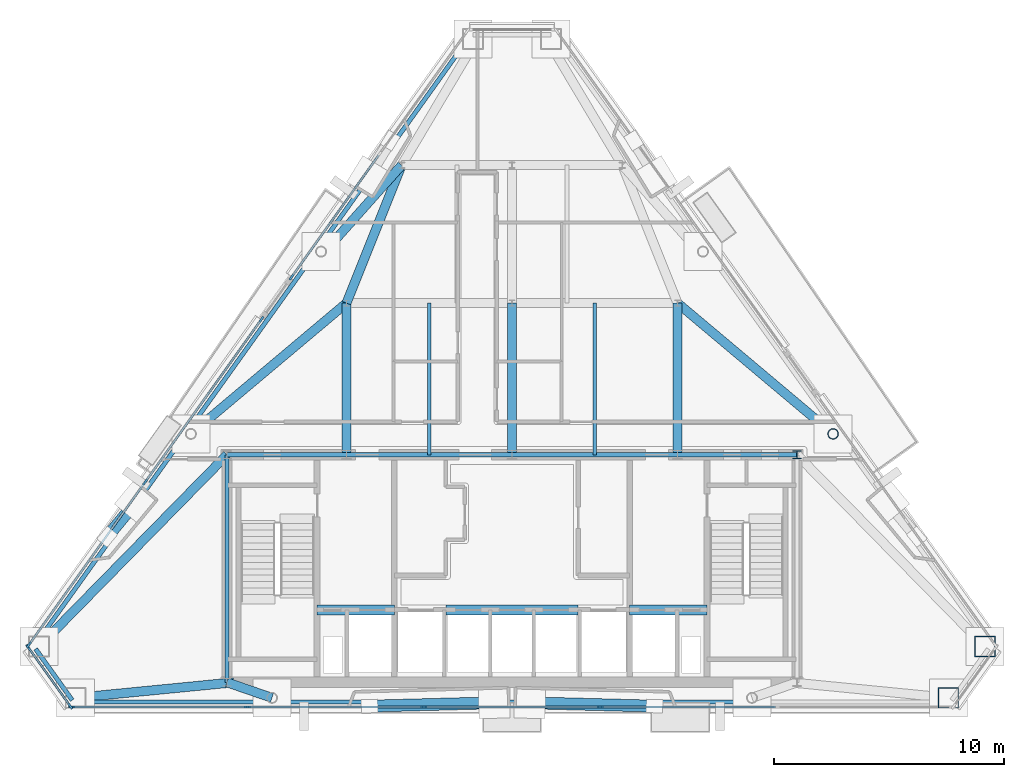
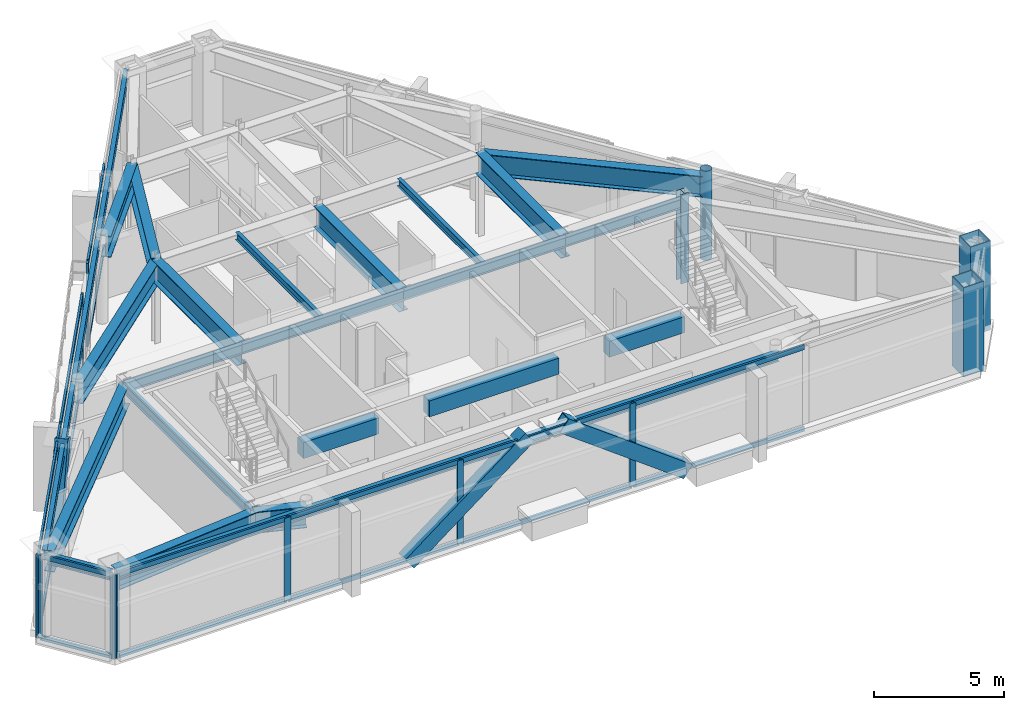
# One storey, part 3 of 10: 29 members, 26 beams, 4 columns, 4 elements without a shape of their own.
"""IFC4 building model written with IfcOpenShell, lengths in metres."""

from ifc_helpers import new_model, si_unit, direction, frame, origin, origin_2d, place, context, subcontext, project, spatial, rectangle, hollow_rectangle, hollow_circle, i_section, extrude, material, layer, layer_set, material_profile, profile_set, type_object, element, aggregate, save


model = new_model("IFC4")

# Units and contexts
model_context = context("Model", 3, precision=1e-05, world=origin(), true_north=direction((0.0, 1.0)))
body_context = subcontext(model_context, "Body", "Model", "MODEL_VIEW")
ifc_project = project(units=[si_unit("LENGTHUNIT", "METRE"), si_unit("AREAUNIT", "SQUARE_METRE"), si_unit("VOLUMEUNIT", "CUBIC_METRE"), si_unit("PLANEANGLEUNIT", "RADIAN"), si_unit("MASSUNIT", "GRAM", prefix="KILO")], contexts=[model_context])

# Site, building, storey
site_placement = place(None, origin())
site = spatial("IfcSite", under=ifc_project, at=site_placement, CompositionType="ELEMENT")
building_placement = place(site_placement, origin())
building = spatial("IfcBuilding", under=site, at=building_placement, Name="Talgorran Terracotta Tower", CompositionType="ELEMENT")
storey_placement = place(building_placement, frame((0.0, 0.0, 289.199951171875)))
storey = spatial("IfcBuildingStorey", under=building, at=storey_placement, Name="L76", CompositionType="ELEMENT", Elevation=289.199951171875)

# Columns
ifc_material_1 = material(Name="Steel S355 (300PLUS)", Category="steel")
ifc_material_profile_1 = material_profile(ifc_material_1, i_section(OverallWidth=0.35205078125, OverallDepth=0.35888671875, WebThickness=0.01806640625, FlangeThickness=0.02587890625, at=origin_2d()), Name="350WC197")
ifc_profile_set_1 = profile_set([ifc_material_profile_1], Name="Steel S355 (300PLUS)")
column_type_1 = type_object("IfcColumnType", Name="COL_350WC197", PredefinedType="COLUMN", material=ifc_profile_set_1)
column_1_placement = place(storey_placement, frame((12.39990234375, -4.199951171875, 0.0), z_axis=(0.0, 0.0, 1.0), x_axis=(1.0, 0.0, 0.0)))
element("IfcColumn", 1, at=column_1_placement, inside=storey, type_object=column_type_1, Name="L76 Core Boundary Column CC3", PredefinedType="COLUMN", context=body_context, shape_type="SweptSolid", body=[
    extrude(i_section(OverallWidth=0.35205078125, OverallDepth=0.35888671875, WebThickness=0.01806640625, FlangeThickness=0.02587890625, at=origin_2d()), origin(), (0.0, 0.0, 1.0), 4.199951171875),
])
ifc_material_2 = material(Name="Steel Grade 350 (350L0)", Category="steel")
ifc_material_profile_2 = material_profile(ifc_material_2, hollow_rectangle(XDim=0.89990234375, YDim=0.89990234375, WallThickness=0.0400390625, at=origin_2d()), Name="CFT900X900X40")
ifc_profile_set_2 = profile_set([ifc_material_profile_2], Name="Steel Grade 350 (350L0)")
column_type_2 = type_object("IfcColumnType", Name="COL_CFT_900", PredefinedType="COLUMN", material=ifc_profile_set_2)
for number, where, z_axis, x_axis, name in (
    (2, (18.984619140625, -14.7744140625, 0.0), (0.0, 0.0, 1.0), (1.0, 0.0, 0.0), "L76 Corner CFT Mega-Column MC3"),
    (3, (20.578857421875, -12.542724609375, 0.0), (0.0, 0.0, 1.0), (1.0, 0.0, 0.0), "L76 Corner CFT Mega-Column MC4"),
):
    element("IfcColumn", number, at=place(storey_placement, frame(where, z_axis=z_axis, x_axis=x_axis)), inside=storey, type_object=column_type_2, Name=name, PredefinedType="COLUMN", context=body_context, shape_type="SweptSolid", body=[
        extrude(hollow_rectangle(XDim=0.89990234375, YDim=0.89990234375, WallThickness=0.0400390625, at=origin_2d()), origin(), (0.0, 0.0, 1.0), 4.199951171875),
    ])
ifc_material_3 = material(Name="Steel S350 (C350L0)", Category="steel")
ifc_material_profile_3 = material_profile(ifc_material_3, hollow_circle(Radius=0.228515625, WallThickness=0.01611328125, at=origin_2d()), Name="CHS457X16")
ifc_profile_set_3 = profile_set([ifc_material_profile_3], Name="Steel S350 (C350L0)")
column_type_3 = type_object("IfcColumnType", Name="COL_CHS_457", PredefinedType="COLUMN", material=ifc_profile_set_3)
column_2_placement = place(storey_placement, frame((13.970458984375, -3.29150390625, 0.0), z_axis=(0.0, 0.0, 1.0), x_axis=(1.0, 0.0, 0.0)))
element("IfcColumn", 4, at=column_2_placement, inside=storey, type_object=column_type_3, Name="L76 Facet Perimeter Column FC3", PredefinedType="COLUMN", context=body_context, shape_type="SweptSolid", body=[
    extrude(hollow_circle(Radius=0.228515625, WallThickness=0.01611328125, at=origin_2d()), origin(), (0.0, 0.0, 1.0), 4.199951171875),
])

# Beams
ifc_material_profile_4 = material_profile(ifc_material_2, i_section(OverallWidth=0.39990234375, OverallDepth=1.0, WebThickness=0.01611328125, FlangeThickness=0.031005859375, at=origin_2d()), Name="1000WB296")
ifc_profile_set_4 = profile_set([ifc_material_profile_4], Name="Steel Grade 350 (350L0)")
beam_type_1 = type_object("IfcBeamType", Name="BM_1000WB296", PredefinedType="BEAM", material=ifc_profile_set_4)
beam_1_placement = place(storey_placement, frame((-10.441650390625, -14.7744140625, 3.420166015625), z_axis=(-0.945513197236, 0.325583773939, 0.0), x_axis=(-0.325583773939, -0.945513197236, 0.0)))
element("IfcBeam", 5, at=beam_1_placement, inside=storey, type_object=beam_type_1, Name="L76 South-West Core Tie Beam", PredefinedType="BEAM", context=body_context, shape_type="SweptSolid", body=[
    extrude(i_section(OverallWidth=0.39990234375, OverallDepth=1.0, WebThickness=0.01611328125, FlangeThickness=0.031005859375, at=origin_2d()), origin(), (0.0, 0.0, 1.0), 2.071044921875),
])
beam_2_placement = place(storey_placement, frame((-18.984619140625, -14.7744140625, 3.420166015625), z_axis=(0.995237458524, 0.097480260309, 0.0), x_axis=(-0.097480260309, 0.995237458524, 0.0)))
element("IfcBeam", 6, at=beam_2_placement, inside=storey, type_object=beam_type_1, Name="L76 Perimeter Step Girder 2", PredefinedType="BEAM", context=body_context, shape_type="SweptSolid", body=[
    extrude(i_section(OverallWidth=0.39990234375, OverallDepth=1.0, WebThickness=0.01611328125, FlangeThickness=0.031005859375, at=origin_2d()), origin(), (0.0, 0.0, 1.0), 6.91748046875),
])
for number, where, z_axis, x_axis, name in (
    (7, (-7.199951171875, -4.199951171875, 3.420166015625), (0.0, 1.0, 0.0), (-1.0, 0.0, 0.0), "L76 Floor Girder G01"),
    (8, (0.0, -4.199951171875, 3.420166015625), (0.0, 1.0, 0.0), (-1.0, 0.0, 0.0), "L76 Floor Girder G02"),
    (9, (7.199951171875, -4.199951171875, 3.420166015625), (0.0, 1.0, 0.0), (-1.0, 0.0, 0.0), "L76 Floor Girder G03"),
):
    element("IfcBeam", number, at=place(storey_placement, frame(where, z_axis=z_axis, x_axis=x_axis)), inside=storey, type_object=beam_type_1, Name=name, PredefinedType="BEAM", context=body_context, shape_type="SweptSolid", body=[
        extrude(i_section(OverallWidth=0.39990234375, OverallDepth=1.0, WebThickness=0.01611328125, FlangeThickness=0.031005859375, at=origin_2d()), origin(), (0.0, 0.0, 1.0), 6.599853515625),
    ])
for number, where, z_axis, x_axis, name in (
    (10, (-7.199951171875, 2.39990234375, 3.420166015625), (-0.765472083777, -0.643469104897, 0.0), (0.643469104897, -0.765472083777, 0.0), "L76 Floor Girder G06"),
    (11, (7.199951171875, 2.39990234375, 3.420166015625), (0.765472083777, -0.643469104897, 0.0), (0.643469104897, 0.765472083777, 0.0), "L76 Floor Girder G07"),
):
    element("IfcBeam", number, at=place(storey_placement, frame(where, z_axis=z_axis, x_axis=x_axis)), inside=storey, type_object=beam_type_1, Name=name, PredefinedType="BEAM", context=body_context, shape_type="SweptSolid", body=[
        extrude(i_section(OverallWidth=0.39990234375, OverallDepth=1.0, WebThickness=0.01611328125, FlangeThickness=0.031005859375, at=origin_2d()), origin(), (0.0, 0.0, 1.0), 8.844970703125),
    ])
beam_3_placement = place(storey_placement, frame((-7.199951171875, 2.39990234375, 3.420166015625), z_axis=(0.371377648723, 0.928481901832, 0.0), x_axis=(-0.928481901832, 0.371377648723, 0.0)))
element("IfcBeam", 12, at=beam_3_placement, inside=storey, type_object=beam_type_1, Name="L76 Floor Girder G08", PredefinedType="BEAM", context=body_context, shape_type="SweptSolid", body=[
    extrude(i_section(OverallWidth=0.39990234375, OverallDepth=1.0, WebThickness=0.01611328125, FlangeThickness=0.031005859375, at=origin_2d()), origin(), (0.0, 0.0, 1.0), 6.462158203125),
])
beam_4_placement = place(storey_placement, frame((-4.800048828125, 8.39990234375, 3.420166015625), z_axis=(-0.664939305992, -0.746897395462, 0.0), x_axis=(0.746897395462, -0.664939305992, 0.0)))
element("IfcBeam", 13, at=beam_4_placement, inside=storey, type_object=beam_type_1, Name="L76 Floor Girder G13", PredefinedType="BEAM", context=body_context, shape_type="SweptSolid", body=[
    extrude(i_section(OverallWidth=0.39990234375, OverallDepth=1.0, WebThickness=0.01611328125, FlangeThickness=0.031005859375, at=origin_2d()), origin(), (0.0, 0.0, 1.0), 5.00146484375),
])
beam_5_placement = place(storey_placement, frame((-12.39990234375, -4.199951171875, 3.420166015625), z_axis=(-0.700061173466, -0.714082875726, 0.0), x_axis=(0.714082875726, -0.700061173466, 0.0)))
element("IfcBeam", 14, at=beam_5_placement, inside=storey, type_object=beam_type_1, Name="L76 Floor Girder G17", PredefinedType="BEAM", context=body_context, shape_type="SweptSolid", body=[
    extrude(i_section(OverallWidth=0.39990234375, OverallDepth=1.0, WebThickness=0.01611328125, FlangeThickness=0.031005859375, at=origin_2d()), origin(), (0.0, 0.0, 1.0), 11.68310546875),
])
ifc_material_4 = material(Name="Concrete C50/60", Category="concrete")
ifc_material_profile_5 = material_profile(ifc_material_4, rectangle(XDim=0.449951171875, YDim=0.75, at=origin_2d()), Name="RCCB450X750")
ifc_profile_set_5 = profile_set([ifc_material_profile_5], Name="Concrete C50/60")
beam_type_2 = type_object("IfcBeamType", Name="BM_CB_450X750", PredefinedType="LINTEL", material=ifc_profile_set_5)
beam_6_placement = place(storey_placement, frame((-8.47998046875, -10.949951171875, 3.545166015625), z_axis=(1.0, 0.0, 0.0), x_axis=(0.0, 1.0, 0.0)))
element("IfcBeam", 15, at=beam_6_placement, inside=storey, type_object=beam_type_2, Name="L76 Core Shear-Wall Coupling Beam CB1", PredefinedType="LINTEL", context=body_context, shape_type="SweptSolid", body=[
    extrude(rectangle(XDim=0.449951171875, YDim=0.75, at=origin_2d()), origin(), (0.0, 0.0, 1.0), 3.35986328125),
])
beam_7_placement = place(storey_placement, frame((-2.8798828125, -10.949951171875, 3.545166015625), z_axis=(1.0, 0.0, 0.0), x_axis=(0.0, 1.0, 0.0)))
element("IfcBeam", 16, at=beam_7_placement, inside=storey, type_object=beam_type_2, Name="L76 Core Shear-Wall Coupling Beam CB2", PredefinedType="LINTEL", context=body_context, shape_type="SweptSolid", body=[
    extrude(rectangle(XDim=0.449951171875, YDim=0.75, at=origin_2d()), origin(), (0.0, 0.0, 1.0), 5.759765625),
])
beam_8_placement = place(storey_placement, frame((5.1201171875, -10.949951171875, 3.545166015625), z_axis=(1.0, 0.0, 0.0), x_axis=(0.0, 1.0, 0.0)))
element("IfcBeam", 17, at=beam_8_placement, inside=storey, type_object=beam_type_2, Name="L76 Core Shear-Wall Coupling Beam CB3", PredefinedType="LINTEL", context=body_context, shape_type="SweptSolid", body=[
    extrude(rectangle(XDim=0.449951171875, YDim=0.75, at=origin_2d()), origin(), (0.0, 0.0, 1.0), 3.35986328125),
])
ifc_material_profile_6 = material_profile(ifc_material_1, i_section(OverallWidth=0.17138671875, OverallDepth=0.355712890625, WebThickness=0.00732421875, FlangeThickness=0.011474609375, at=origin_2d()), Name="360UB50.7")
ifc_profile_set_6 = profile_set([ifc_material_profile_6], Name="Steel S355 (300PLUS)")
beam_type_3 = type_object("IfcBeamType", Name="BM_JS_360UB51", PredefinedType="JOIST", material=ifc_profile_set_6)
for number, where, z_axis, x_axis, name in (
    (18, (-3.60009765625, -4.199951171875, 3.7421875), (0.0, 1.0, 0.0), (-1.0, 0.0, 0.0), "L76 Secondary Joist J01"),
    (19, (3.60009765625, -4.199951171875, 3.7421875), (0.0, 1.0, 0.0), (-1.0, 0.0, 0.0), "L76 Secondary Joist J02"),
):
    element("IfcBeam", number, at=place(storey_placement, frame(where, z_axis=z_axis, x_axis=x_axis)), inside=storey, type_object=beam_type_3, Name=name, PredefinedType="JOIST", context=body_context, shape_type="SweptSolid", body=[
        extrude(i_section(OverallWidth=0.17138671875, OverallDepth=0.355712890625, WebThickness=0.00732421875, FlangeThickness=0.011474609375, at=origin_2d()), origin(), (0.0, 0.0, 1.0), 6.599853515625),
    ])
ifc_material_profile_7 = material_profile(ifc_material_1, i_section(OverallWidth=0.18994140625, OverallDepth=0.45703125, WebThickness=0.009033203125, FlangeThickness=0.014404296875, at=origin_2d()), Name="460UB74.6")
ifc_profile_set_7 = profile_set([ifc_material_profile_7], Name="Steel S355 (300PLUS)")
beam_type_4 = type_object("IfcBeamType", Name="BM_SP_460UB74", PredefinedType="SPANDREL", material=ifc_profile_set_7)
beam_9_placement = place(storey_placement, frame((-20.725341796875, -12.6474609375, 3.691650390625), z_axis=(0.581322401873, -0.813673315945, 0.0), x_axis=(0.813673315945, 0.581322401873, 0.0)))
element("IfcBeam", 20, at=beam_9_placement, inside=storey, type_object=beam_type_4, Name="L76 Perimeter Spandrel Beam MC1-MC2", PredefinedType="SPANDREL", context=body_context, shape_type="SweptSolid", body=[
    extrude(i_section(OverallWidth=0.18994140625, OverallDepth=0.45703125, WebThickness=0.009033203125, FlangeThickness=0.014404296875, at=origin_2d()), origin(), (0.0, 0.0, 1.0), 2.742431640625),
])
beam_10_placement = place(storey_placement, frame((-18.984619140625, -14.954345703125, 3.691650390625), z_axis=(1.0, 0.0, 0.0), x_axis=(0.0, 1.0, 0.0)))
element("IfcBeam", 21, at=beam_10_placement, inside=storey, type_object=beam_type_4, Name="L76 Perimeter Spandrel Beam MC2-FC1", PredefinedType="SPANDREL", context=body_context, shape_type="SweptSolid", body=[
    extrude(i_section(OverallWidth=0.18994140625, OverallDepth=0.45703125, WebThickness=0.009033203125, FlangeThickness=0.014404296875, at=origin_2d()), origin(), (0.0, 0.0, 1.0), 8.54296875),
])
beam_11_placement = place(storey_placement, frame((-10.441650390625, -14.954345703125, 3.691650390625), z_axis=(1.0, 0.0, 0.0), x_axis=(0.0, 1.0, 0.0)))
element("IfcBeam", 22, at=beam_11_placement, inside=storey, type_object=beam_type_4, Name="L76 Perimeter Spandrel Beam FC1-FC2", PredefinedType="SPANDREL", context=body_context, shape_type="SweptSolid", body=[
    extrude(i_section(OverallWidth=0.18994140625, OverallDepth=0.45703125, WebThickness=0.009033203125, FlangeThickness=0.014404296875, at=origin_2d()), origin(), (0.0, 0.0, 1.0), 20.88330078125),
])
beam_12_placement = place(storey_placement, frame((-1.844482421875, 13.994140625, 3.691650390625), z_axis=(-0.581246319121, -0.813727667287, 0.0), x_axis=(0.813727667287, -0.581246319121, 0.0)))
element("IfcBeam", 23, at=beam_12_placement, inside=storey, type_object=beam_type_4, Name="L76 Perimeter Spandrel Beam MC6-FC5", PredefinedType="SPANDREL", context=body_context, shape_type="SweptSolid", body=[
    extrude(i_section(OverallWidth=0.18994140625, OverallDepth=0.45703125, WebThickness=0.009033203125, FlangeThickness=0.014404296875, at=origin_2d()), origin(), (0.0, 0.0, 1.0), 11.368896484375),
])
beam_13_placement = place(storey_placement, frame((-8.45263671875, 4.742919921875, 3.691650390625), z_axis=(-0.58124293337, -0.813730085721, 0.0), x_axis=(0.813730085721, -0.58124293337, 0.0)))
element("IfcBeam", 24, at=beam_13_placement, inside=storey, type_object=beam_type_4, Name="L76 Perimeter Spandrel Beam FC5-FC6", PredefinedType="SPANDREL", context=body_context, shape_type="SweptSolid", body=[
    extrude(i_section(OverallWidth=0.18994140625, OverallDepth=0.45703125, WebThickness=0.009033203125, FlangeThickness=0.014404296875, at=origin_2d()), origin(), (0.0, 0.0, 1.0), 9.7451171875),
])
beam_14_placement = place(storey_placement, frame((-14.116943359375, -3.18701171875, 3.691650390625), z_axis=(-0.581260538156, -0.813717510431, 0.0), x_axis=(0.813717510431, -0.581260538156, 0.0)))
element("IfcBeam", 25, at=beam_14_placement, inside=storey, type_object=beam_type_4, Name="L76 Perimeter Spandrel Beam FC6-MC1", PredefinedType="SPANDREL", context=body_context, shape_type="SweptSolid", body=[
    extrude(i_section(OverallWidth=0.18994140625, OverallDepth=0.45703125, WebThickness=0.009033203125, FlangeThickness=0.014404296875, at=origin_2d()), origin(), (0.0, 0.0, 1.0), 11.369140625),
])
beam_15_placement = place(storey_placement, frame((-12.39990234375, -14.10009765625, 3.691650390625), z_axis=(0.0, 1.0, 0.0), x_axis=(-1.0, 0.0, 0.0)))
element("IfcBeam", 26, at=beam_15_placement, inside=storey, type_object=beam_type_4, Name="L76 Core Frame Beam CFW", PredefinedType="SPANDREL", context=body_context, shape_type="SweptSolid", body=[
    extrude(i_section(OverallWidth=0.18994140625, OverallDepth=0.45703125, WebThickness=0.009033203125, FlangeThickness=0.014404296875, at=origin_2d()), origin(), (0.0, 0.0, 1.0), 9.900146484375),
])
beam_16_placement = place(storey_placement, frame((-12.39990234375, -4.199951171875, 3.691650390625), z_axis=(1.0, 0.0, 0.0), x_axis=(0.0, 1.0, 0.0)))
element("IfcBeam", 27, at=beam_16_placement, inside=storey, type_object=beam_type_4, Name="L76 Core Frame Beam CFN1", PredefinedType="SPANDREL", context=body_context, shape_type="SweptSolid", body=[
    extrude(i_section(OverallWidth=0.18994140625, OverallDepth=0.45703125, WebThickness=0.009033203125, FlangeThickness=0.014404296875, at=origin_2d()), origin(), (0.0, 0.0, 1.0), 5.199951171875),
])
for number, where, z_axis, x_axis, name in (
    (28, (-7.199951171875, -4.199951171875, 3.691650390625), (1.0, 0.0, 0.0), (0.0, 1.0, 0.0), "L76 Core Frame Beam CFN2"),
    (29, (0.0, -4.199951171875, 3.691650390625), (1.0, 0.0, 0.0), (0.0, 1.0, 0.0), "L76 Core Frame Beam CFN3"),
):
    element("IfcBeam", number, at=place(storey_placement, frame(where, z_axis=z_axis, x_axis=x_axis)), inside=storey, type_object=beam_type_4, Name=name, PredefinedType="SPANDREL", context=body_context, shape_type="SweptSolid", body=[
        extrude(i_section(OverallWidth=0.18994140625, OverallDepth=0.45703125, WebThickness=0.009033203125, FlangeThickness=0.014404296875, at=origin_2d()), origin(), (0.0, 0.0, 1.0), 7.199951171875),
    ])
beam_17_placement = place(storey_placement, frame((7.199951171875, -4.199951171875, 3.691650390625), z_axis=(1.0, 0.0, 0.0), x_axis=(0.0, 1.0, 0.0)))
element("IfcBeam", 30, at=beam_17_placement, inside=storey, type_object=beam_type_4, Name="L76 Core Frame Beam CFN4", PredefinedType="SPANDREL", context=body_context, shape_type="SweptSolid", body=[
    extrude(i_section(OverallWidth=0.18994140625, OverallDepth=0.45703125, WebThickness=0.009033203125, FlangeThickness=0.014404296875, at=origin_2d()), origin(), (0.0, 0.0, 1.0), 5.199951171875),
])

# Members
ifc_material_profile_8 = material_profile(ifc_material_2, hollow_rectangle(XDim=0.52001953125, YDim=0.659912109375, WallThickness=0.034912109375, at=origin_2d()), Name="WBOX660X520X35")
ifc_profile_set_8 = profile_set([ifc_material_profile_8], Name="Steel Grade 350 (350L0)")
member_type_1 = type_object("IfcMemberType", Name="MB_MEGA_660", PredefinedType="BRACE", material=ifc_profile_set_8)
for number, where, z_axis, x_axis, name in (
    (31, (-6.1982421875, -15.134521484375, -0.02490234375), (0.806610986149, 0.021504782878, 0.59069134185), (-0.026651191983, 0.999644793897, 0.0), "L76 Exterior Face Mega-Brace MB-3 (SWF)"),
    (32, (6.1982421875, -15.134521484375, -0.02490234375), (-0.806610986149, 0.021504782878, 0.59069134185), (-0.026651191983, -0.999644793897, 0.0), "L76 Exterior Face Mega-Brace MB-3 (SEF)"),
):
    element("IfcMember", number, at=place(storey_placement, frame(where, z_axis=z_axis, x_axis=x_axis)), inside=storey, type_object=member_type_1, Name=name, PredefinedType="BRACE", context=body_context, shape_type="SweptSolid", body=[
        extrude(hollow_rectangle(XDim=0.52001953125, YDim=0.659912109375, WallThickness=0.034912109375, at=origin_2d()), origin(), (0.0, 0.0, 1.0), 6.720947265625),
    ])
member_1_placement = place(storey_placement, frame((-17.6083984375, -7.764892578125, -0.02490234375), z_axis=(0.283163616823, 0.342066498003, 0.895996025132), x_axis=(-0.770312351135, 0.637666748145, 0.0)))
element("IfcMember", 33, at=member_1_placement, inside=storey, type_object=member_type_1, Name="L76 Exterior Face Mega-Brace MB-3 (NWL)", PredefinedType="BRACE", context=body_context, shape_type="SweptSolid", body=[
    extrude(hollow_rectangle(XDim=0.52001953125, YDim=0.659912109375, WallThickness=0.034912109375, at=origin_2d()), origin(), (0.0, 0.0, 1.0), 4.430908203125),
])

# Curtain wall, members
ifc_material_5 = material(Name="Structural Laminated Low-Iron")
ifc_layer = layer(ifc_material_5, 0.239990234375, Name="CW_SYS5_SKY_OBS")
ifc_layer_set = layer_set([ifc_layer], Name="Structural Laminated Low-Iron")
curtain_wall_type = type_object("IfcCurtainWallType", Name="CW_SYS5_SKY_OBS", PredefinedType="NOTDEFINED", material=ifc_layer_set)
curtain_wall_1_placement = place(storey_placement, origin())
curtain_wall_1 = element("IfcCurtainWall", 34, at=curtain_wall_1_placement, inside=storey, type_object=curtain_wall_type, Name="CW-L76-F0", PredefinedType="NOTDEFINED")
ifc_material_6 = material(Name="Architectural Aluminium 6063-T6", Category="aluminium")
ifc_material_profile_9 = material_profile(ifc_material_6, rectangle(XDim=0.090087890625, YDim=0.280029296875, at=origin_2d()), Name="CWM90X280")
ifc_profile_set_9 = profile_set([ifc_material_profile_9], Name="Architectural Aluminium 6063-T6")
member_type_2 = type_object("IfcMemberType", Name="MUL_90X280", PredefinedType="MULLION", material=ifc_profile_set_9)
member_2_placement = place(storey_placement, frame((-21.044189453125, -12.579345703125, 0.0), z_axis=(0.0, 0.0, 1.0), x_axis=(0.813720935413, 0.58125574343, 0.0)))
member_2 = element("IfcMember", 35, at=member_2_placement, type_object=member_type_2, Name="CW-L76-0 mullion 1", PredefinedType="MULLION", context=body_context, shape_type="SweptSolid", body=[
    extrude(rectangle(XDim=0.090087890625, YDim=0.280029296875, at=origin_2d()), origin(), (0.0, 0.0, 1.0), 3.920166015625),
])
member_3_placement = place(storey_placement, frame((-19.216552734375, -15.1376953125, 0.0), z_axis=(0.0, 0.0, 1.0), x_axis=(0.813720935413, 0.58125574343, 0.0)))
member_3 = element("IfcMember", 36, at=member_3_placement, type_object=member_type_2, Name="CW-L76-0 mullion 2", PredefinedType="MULLION", context=body_context, shape_type="SweptSolid", body=[
    extrude(rectangle(XDim=0.090087890625, YDim=0.280029296875, at=origin_2d()), origin(), (0.0, 0.0, 1.0), 3.920166015625),
])

curtain_wall_2_placement = place(storey_placement, origin())
curtain_wall_2 = element("IfcCurtainWall", 37, at=curtain_wall_2_placement, inside=storey, type_object=curtain_wall_type, Name="CW-L76-F1", PredefinedType="NOTDEFINED")
member_4_placement = place(storey_placement, frame((-19.1455078125, -15.17431640625, 0.0), z_axis=(0.0, 0.0, 1.0), x_axis=(0.0, 1.0, 0.0)))
member_4 = element("IfcMember", 38, at=member_4_placement, type_object=member_type_2, Name="CW-L76-1 mullion 1", PredefinedType="MULLION", context=body_context, shape_type="SweptSolid", body=[
    extrude(rectangle(XDim=0.090087890625, YDim=0.280029296875, at=origin_2d()), origin(), (0.0, 0.0, 1.0), 3.920166015625),
])
member_5_placement = place(storey_placement, frame((-11.514404296875, -15.17431640625, 0.0), z_axis=(0.0, 0.0, 1.0), x_axis=(0.0, 1.0, 0.0)))
member_5 = element("IfcMember", 39, at=member_5_placement, type_object=member_type_2, Name="CW-L76-1 mullion 2", PredefinedType="MULLION", context=body_context, shape_type="SweptSolid", body=[
    extrude(rectangle(XDim=0.090087890625, YDim=0.280029296875, at=origin_2d()), origin(), (0.0, 0.0, 1.0), 3.920166015625),
])
member_6_placement = place(storey_placement, frame((-3.838134765625, -15.17431640625, 0.0), z_axis=(0.0, 0.0, 1.0), x_axis=(0.0, 1.0, 0.0)))
member_6 = element("IfcMember", 40, at=member_6_placement, type_object=member_type_2, Name="CW-L76-1 mullion 3", PredefinedType="MULLION", context=body_context, shape_type="SweptSolid", body=[
    extrude(rectangle(XDim=0.090087890625, YDim=0.280029296875, at=origin_2d()), origin(), (0.0, 0.0, 1.0), 3.920166015625),
])
member_7_placement = place(storey_placement, frame((3.838134765625, -15.17431640625, 0.0), z_axis=(0.0, 0.0, 1.0), x_axis=(0.0, 1.0, 0.0)))
member_7 = element("IfcMember", 41, at=member_7_placement, type_object=member_type_2, Name="CW-L76-1 mullion 4", PredefinedType="MULLION", context=body_context, shape_type="SweptSolid", body=[
    extrude(rectangle(XDim=0.090087890625, YDim=0.280029296875, at=origin_2d()), origin(), (0.0, 0.0, 1.0), 3.920166015625),
])

# Curtain wall, member
curtain_wall_3_placement = place(storey_placement, origin())
curtain_wall_3 = element("IfcCurtainWall", 42, at=curtain_wall_3_placement, inside=storey, type_object=curtain_wall_type, Name="CW-L76-F60", PredefinedType="NOTDEFINED")
member_8_placement = place(storey_placement, frame((-9.59130859375, 3.527099609375, 0.0), z_axis=(0.0, 0.0, 1.0), x_axis=(0.813728364444, -0.581245343121, 0.0)))
member_8 = element("IfcMember", 43, at=member_8_placement, type_object=member_type_2, Name="CW-L76-60 mullion 3", PredefinedType="MULLION", context=body_context, shape_type="SweptSolid", body=[
    extrude(rectangle(XDim=0.090087890625, YDim=0.280029296875, at=origin_2d()), origin(), (0.0, 0.0, 1.0), 3.920166015625),
])

# Curtain wall, members
curtain_wall_4_placement = place(storey_placement, origin())
curtain_wall_4 = element("IfcCurtainWall", 44, at=curtain_wall_4_placement, inside=storey, type_object=curtain_wall_type, Name="CW-L76-F61", PredefinedType="NOTDEFINED")
member_9_placement = place(storey_placement, frame((-10.899169921875, 1.6962890625, 0.0), z_axis=(0.0, 0.0, 1.0), x_axis=(0.813726522751, -0.581247921435, 0.0)))
member_9 = element("IfcMember", 45, at=member_9_placement, type_object=member_type_2, Name="CW-L76-61 mullion 1", PredefinedType="MULLION", context=body_context, shape_type="SweptSolid", body=[
    extrude(rectangle(XDim=0.090087890625, YDim=0.280029296875, at=origin_2d()), origin(), (0.0, 0.0, 1.0), 3.920166015625),
])
member_10_placement = place(storey_placement, frame((-15.9599609375, -5.388671875, 0.0), z_axis=(0.0, 0.0, 1.0), x_axis=(0.813726522751, -0.581247921435, 0.0)))
member_10 = element("IfcMember", 46, at=member_10_placement, type_object=member_type_2, Name="CW-L76-61 mullion 2", PredefinedType="MULLION", context=body_context, shape_type="SweptSolid", body=[
    extrude(rectangle(XDim=0.090087890625, YDim=0.280029296875, at=origin_2d()), origin(), (0.0, 0.0, 1.0), 3.920166015625),
])
member_11_placement = place(storey_placement, frame((-21.020751953125, -12.4736328125, 0.0), z_axis=(0.0, 0.0, 1.0), x_axis=(0.813726522751, -0.581247921435, 0.0)))
member_11 = element("IfcMember", 47, at=member_11_placement, type_object=member_type_2, Name="CW-L76-61 mullion 3", PredefinedType="MULLION", context=body_context, shape_type="SweptSolid", body=[
    extrude(rectangle(XDim=0.090087890625, YDim=0.280029296875, at=origin_2d()), origin(), (0.0, 0.0, 1.0), 3.920166015625),
])

# Member
ifc_material_profile_10 = material_profile(ifc_material_6, rectangle(XDim=0.090087890625, YDim=0.22509765625, at=origin_2d()), Name="CWT90X225")
ifc_profile_set_10 = profile_set([ifc_material_profile_10], Name="Architectural Aluminium 6063-T6")
member_type_3 = type_object("IfcMemberType", Name="TRN_90X225", PredefinedType="USERDEFINED", material=ifc_profile_set_10)
member_12_placement = place(storey_placement, frame((-21.01806640625, -12.615966796875, 0.045166015625), z_axis=(0.581253317652, -0.813722668185, 0.0), x_axis=(0.813722668185, 0.581253317652, 0.0)))
member_12 = element("IfcMember", 48, at=member_12_placement, type_object=member_type_3, Name="CW-L76-0 transom 1.1", ObjectType="TRANSOM", PredefinedType="USERDEFINED", context=body_context, shape_type="SweptSolid", body=[
    extrude(rectangle(XDim=0.090087890625, YDim=0.22509765625, at=origin_2d()), origin(), (0.0, 0.0, 1.0), 3.053955078125),
])

member_13_placement = place(storey_placement, frame((-21.01806640625, -12.615966796875, 3.875), z_axis=(0.581253317652, -0.813722668185, 0.0), x_axis=(0.813722668185, 0.581253317652, 0.0)))
member_13 = element("IfcMember", 49, at=member_13_placement, type_object=member_type_3, Name="CW-L76-0 transom 1.2", ObjectType="TRANSOM", PredefinedType="USERDEFINED", context=body_context, shape_type="SweptSolid", body=[
    extrude(rectangle(XDim=0.090087890625, YDim=0.22509765625, at=origin_2d()), origin(), (0.0, 0.0, 1.0), 3.053955078125),
])

aggregate(curtain_wall_1, [member_2, member_3, member_12, member_13])

member_14_placement = place(storey_placement, frame((-19.1005859375, -15.17431640625, 0.045166015625), z_axis=(1.0, 0.0, 0.0), x_axis=(0.0, 1.0, 0.0)))
member_14 = element("IfcMember", 50, at=member_14_placement, type_object=member_type_3, Name="CW-L76-1 transom 1.1", ObjectType="TRANSOM", PredefinedType="USERDEFINED", context=body_context, shape_type="SweptSolid", body=[
    extrude(rectangle(XDim=0.090087890625, YDim=0.22509765625, at=origin_2d()), origin(), (0.0, 0.0, 1.0), 7.541259765625),
])

member_15_placement = place(storey_placement, frame((-19.1005859375, -15.17431640625, 3.875), z_axis=(1.0, 0.0, 0.0), x_axis=(0.0, 1.0, 0.0)))
member_15 = element("IfcMember", 51, at=member_15_placement, type_object=member_type_3, Name="CW-L76-1 transom 1.2", ObjectType="TRANSOM", PredefinedType="USERDEFINED", context=body_context, shape_type="SweptSolid", body=[
    extrude(rectangle(XDim=0.090087890625, YDim=0.22509765625, at=origin_2d()), origin(), (0.0, 0.0, 1.0), 7.541259765625),
])

member_16_placement = place(storey_placement, frame((-11.46923828125, -15.17431640625, 0.045166015625), z_axis=(1.0, 0.0, 0.0), x_axis=(0.0, 1.0, 0.0)))
member_16 = element("IfcMember", 52, at=member_16_placement, type_object=member_type_3, Name="CW-L76-1 transom 2.1", ObjectType="TRANSOM", PredefinedType="USERDEFINED", context=body_context, shape_type="SweptSolid", body=[
    extrude(rectangle(XDim=0.090087890625, YDim=0.22509765625, at=origin_2d()), origin(), (0.0, 0.0, 1.0), 7.586181640625),
])

member_17_placement = place(storey_placement, frame((-11.46923828125, -15.17431640625, 3.875), z_axis=(1.0, 0.0, 0.0), x_axis=(0.0, 1.0, 0.0)))
member_17 = element("IfcMember", 53, at=member_17_placement, type_object=member_type_3, Name="CW-L76-1 transom 2.2", ObjectType="TRANSOM", PredefinedType="USERDEFINED", context=body_context, shape_type="SweptSolid", body=[
    extrude(rectangle(XDim=0.090087890625, YDim=0.22509765625, at=origin_2d()), origin(), (0.0, 0.0, 1.0), 7.586181640625),
])

member_18_placement = place(storey_placement, frame((-3.793212890625, -15.17431640625, 0.045166015625), z_axis=(1.0, 0.0, 0.0), x_axis=(0.0, 1.0, 0.0)))
member_18 = element("IfcMember", 54, at=member_18_placement, type_object=member_type_3, Name="CW-L76-1 transom 3.1", ObjectType="TRANSOM", PredefinedType="USERDEFINED", context=body_context, shape_type="SweptSolid", body=[
    extrude(rectangle(XDim=0.090087890625, YDim=0.22509765625, at=origin_2d()), origin(), (0.0, 0.0, 1.0), 7.58642578125),
])

member_19_placement = place(storey_placement, frame((-3.793212890625, -15.17431640625, 3.875), z_axis=(1.0, 0.0, 0.0), x_axis=(0.0, 1.0, 0.0)))
member_19 = element("IfcMember", 55, at=member_19_placement, type_object=member_type_3, Name="CW-L76-1 transom 3.2", ObjectType="TRANSOM", PredefinedType="USERDEFINED", context=body_context, shape_type="SweptSolid", body=[
    extrude(rectangle(XDim=0.090087890625, YDim=0.22509765625, at=origin_2d()), origin(), (0.0, 0.0, 1.0), 7.58642578125),
])

member_20_placement = place(storey_placement, frame((3.883056640625, -15.17431640625, 0.045166015625), z_axis=(1.0, 0.0, 0.0), x_axis=(0.0, 1.0, 0.0)))
member_20 = element("IfcMember", 56, at=member_20_placement, type_object=member_type_3, Name="CW-L76-1 transom 4.1", ObjectType="TRANSOM", PredefinedType="USERDEFINED", context=body_context, shape_type="SweptSolid", body=[
    extrude(rectangle(XDim=0.090087890625, YDim=0.22509765625, at=origin_2d()), origin(), (0.0, 0.0, 1.0), 7.586181640625),
])

member_21_placement = place(storey_placement, frame((3.883056640625, -15.17431640625, 3.875), z_axis=(1.0, 0.0, 0.0), x_axis=(0.0, 1.0, 0.0)))
member_21 = element("IfcMember", 57, at=member_21_placement, type_object=member_type_3, Name="CW-L76-1 transom 4.2", ObjectType="TRANSOM", PredefinedType="USERDEFINED", context=body_context, shape_type="SweptSolid", body=[
    extrude(rectangle(XDim=0.090087890625, YDim=0.22509765625, at=origin_2d()), origin(), (0.0, 0.0, 1.0), 7.586181640625),
])

aggregate(curtain_wall_2, [member_4, member_5, member_6, member_7, member_14, member_15, member_16, member_17, member_18, member_19, member_20, member_21])

member_22_placement = place(storey_placement, frame((-5.79833984375, 8.837158203125, 0.045166015625), z_axis=(-0.581248884511, -0.81372583482, 0.0), x_axis=(0.81372583482, -0.581248884511, 0.0)))
member_22 = element("IfcMember", 58, at=member_22_placement, type_object=member_type_3, Name="CW-L76-60 transom 2.1", ObjectType="TRANSOM", PredefinedType="USERDEFINED", context=body_context, shape_type="SweptSolid", body=[
    extrude(rectangle(XDim=0.090087890625, YDim=0.22509765625, at=origin_2d()), origin(), (0.0, 0.0, 1.0), 6.480712890625),
])

member_23_placement = place(storey_placement, frame((-5.79833984375, 8.837158203125, 3.875), z_axis=(-0.581248884511, -0.81372583482, 0.0), x_axis=(0.81372583482, -0.581248884511, 0.0)))
member_23 = element("IfcMember", 59, at=member_23_placement, type_object=member_type_3, Name="CW-L76-60 transom 2.2", ObjectType="TRANSOM", PredefinedType="USERDEFINED", context=body_context, shape_type="SweptSolid", body=[
    extrude(rectangle(XDim=0.090087890625, YDim=0.22509765625, at=origin_2d()), origin(), (0.0, 0.0, 1.0), 6.480712890625),
])

aggregate(curtain_wall_3, [member_8, member_22, member_23])

member_24_placement = place(storey_placement, frame((-10.92529296875, 1.65966796875, 0.045166015625), z_axis=(-0.581251594386, -0.813723899135, 0.0), x_axis=(0.813723899135, -0.581251594386, 0.0)))
member_24 = element("IfcMember", 60, at=member_24_placement, type_object=member_type_3, Name="CW-L76-61 transom 1.1", ObjectType="TRANSOM", PredefinedType="USERDEFINED", context=body_context, shape_type="SweptSolid", body=[
    extrude(rectangle(XDim=0.090087890625, YDim=0.22509765625, at=origin_2d()), origin(), (0.0, 0.0, 1.0), 8.616943359375),
])

member_25_placement = place(storey_placement, frame((-10.92529296875, 1.65966796875, 3.875), z_axis=(-0.581251594386, -0.813723899135, 0.0), x_axis=(0.813723899135, -0.581251594386, 0.0)))
member_25 = element("IfcMember", 61, at=member_25_placement, type_object=member_type_3, Name="CW-L76-61 transom 1.2", ObjectType="TRANSOM", PredefinedType="USERDEFINED", context=body_context, shape_type="SweptSolid", body=[
    extrude(rectangle(XDim=0.090087890625, YDim=0.22509765625, at=origin_2d()), origin(), (0.0, 0.0, 1.0), 8.616943359375),
])

member_26_placement = place(storey_placement, frame((-15.986328125, -5.42529296875, 0.045166015625), z_axis=(-0.58123283332, -0.813737300037, 0.0), x_axis=(0.813737300037, -0.58123283332, 0.0)))
member_26 = element("IfcMember", 62, at=member_26_placement, type_object=member_type_3, Name="CW-L76-61 transom 2.1", ObjectType="TRANSOM", PredefinedType="USERDEFINED", context=body_context, shape_type="SweptSolid", body=[
    extrude(rectangle(XDim=0.090087890625, YDim=0.22509765625, at=origin_2d()), origin(), (0.0, 0.0, 1.0), 8.61669921875),
])

member_27_placement = place(storey_placement, frame((-15.986328125, -5.42529296875, 3.875), z_axis=(-0.58123283332, -0.813737300037, 0.0), x_axis=(0.813737300037, -0.58123283332, 0.0)))
member_27 = element("IfcMember", 63, at=member_27_placement, type_object=member_type_3, Name="CW-L76-61 transom 2.2", ObjectType="TRANSOM", PredefinedType="USERDEFINED", context=body_context, shape_type="SweptSolid", body=[
    extrude(rectangle(XDim=0.090087890625, YDim=0.22509765625, at=origin_2d()), origin(), (0.0, 0.0, 1.0), 8.61669921875),
])

aggregate(curtain_wall_4, [member_9, member_10, member_11, member_24, member_25, member_26, member_27])

save(model, "model.ifc")
